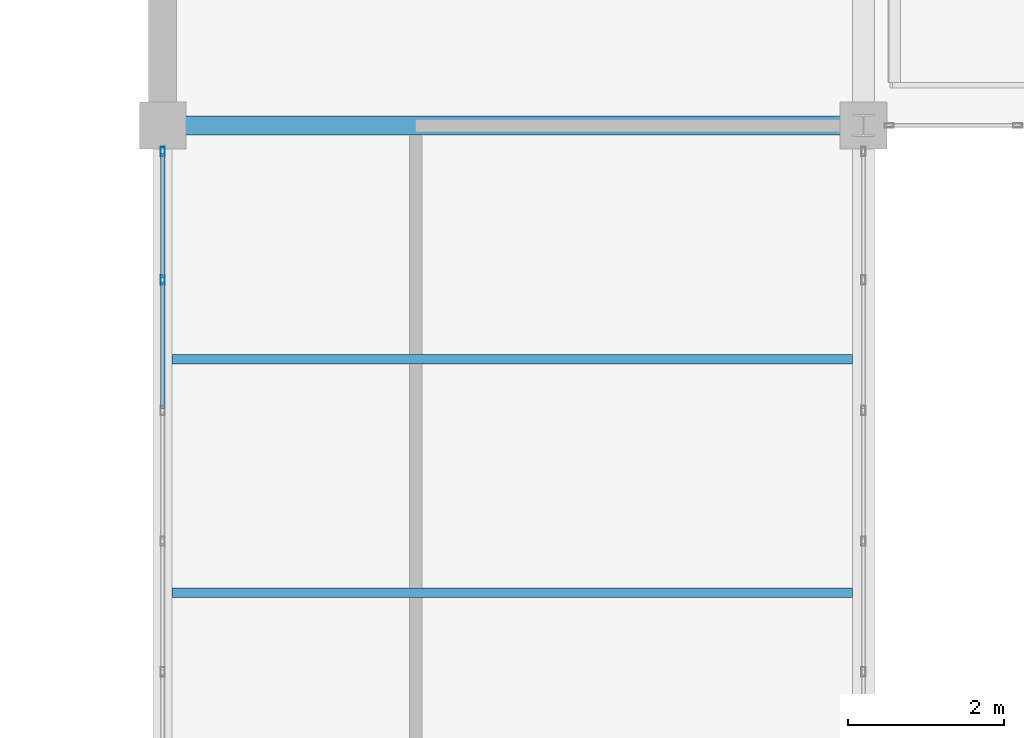
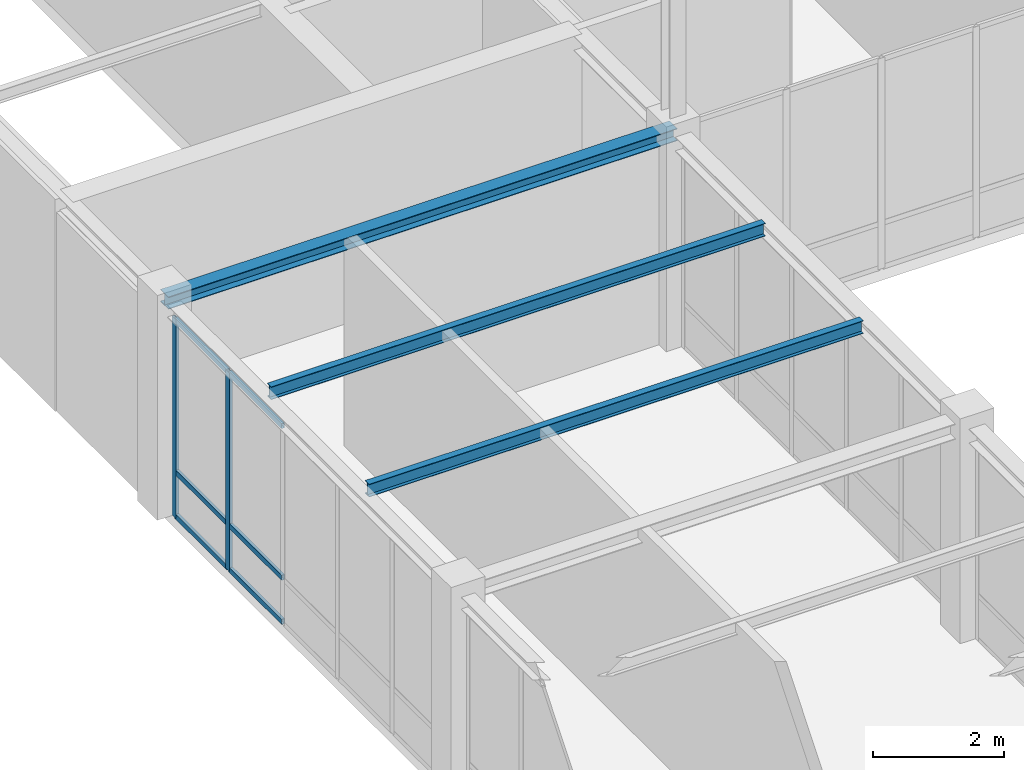
# One storey, part 31 of 97: 8 members, 3 beams, 1 element without a shape of its own.
"""IFC4 building model written with IfcOpenShell, lengths in metres."""

from ifc_helpers import new_model, si_unit, direction, frame, origin, origin_2d, place, context, subcontext, project, spatial, hollow_rectangle, i_section, extrude, material, material_profile, profile_set, type_object, element, aggregate, save


model = new_model("IFC4")

# Units and contexts
model_context = context("Model", 3, precision=1e-05, world=origin(), true_north=direction((0.0, 1.0)))
body_context = subcontext(model_context, "Body", "Model", "MODEL_VIEW")
ifc_project = project(units=[si_unit("LENGTHUNIT", "METRE"), si_unit("AREAUNIT", "SQUARE_METRE"), si_unit("VOLUMEUNIT", "CUBIC_METRE"), si_unit("PLANEANGLEUNIT", "RADIAN"), si_unit("MASSUNIT", "GRAM", prefix="KILO")], contexts=[model_context])

# Site, building, storey
site_placement = place(None, origin())
site = spatial("IfcSite", under=ifc_project, at=site_placement, CompositionType="ELEMENT")
building_placement = place(site_placement, origin())
building = spatial("IfcBuilding", under=site, at=building_placement, Name="Lykobir Media Centre", CompositionType="ELEMENT")
storey_placement = place(building_placement, frame((0.0, 0.0, 23.39990234375)))
storey = spatial("IfcBuildingStorey", under=building, at=storey_placement, Name="L05", CompositionType="ELEMENT", Elevation=23.39990234375)

# Curtain wall, members
ifc_material_1 = material(Name="Anodized Aluminium AW-6060", Category="aluminium")
curtain_wall_type = type_object("IfcCurtainWallType", Name="CW-COURT-B", PredefinedType="NOTDEFINED", material=ifc_material_1)
curtain_wall_placement = place(storey_placement, origin())
curtain_wall = element("IfcCurtainWall", 1, at=curtain_wall_placement, inside=storey, type_object=curtain_wall_type, Name="Curtain wall CW2-L05-0202", PredefinedType="NOTDEFINED")
ifc_material_profile_1 = material_profile(ifc_material_1, hollow_rectangle(XDim=0.054931640625, YDim=0.1201171875, WallThickness=0.003173828125, at=origin_2d()), Name="ALU MULLION 55x120")
ifc_profile_set_1 = profile_set([ifc_material_profile_1], Name="Anodized Aluminium AW-6060")
member_type_1 = type_object("IfcMemberType", Name="CWM-120", PredefinedType="MULLION", material=ifc_profile_set_1)
member_1_placement = place(storey_placement, frame((27.0, 61.01708984375, 0.0), z_axis=(0.0, 0.0, 1.0), x_axis=(-1.0, 0.0, 0.0)))
member_1 = element("IfcMember", 2, at=member_1_placement, type_object=member_type_1, Name="CW2-L05-0202 mullion 5", PredefinedType="MULLION", context=body_context, shape_type="SweptSolid", body=[
    extrude(hollow_rectangle(XDim=0.054931640625, YDim=0.1201171875, WallThickness=0.003173828125, at=origin_2d()), origin(), (0.0, 0.0, 1.0), 3.713134765625),
])
member_2_placement = place(storey_placement, frame((27.0, 62.66748046875, 0.0), z_axis=(0.0, 0.0, 1.0), x_axis=(-1.0, 0.0, 0.0)))
member_2 = element("IfcMember", 3, at=member_2_placement, type_object=member_type_1, Name="CW2-L05-0202 mullion 6", PredefinedType="MULLION", context=body_context, shape_type="SweptSolid", body=[
    extrude(hollow_rectangle(XDim=0.054931640625, YDim=0.1201171875, WallThickness=0.003173828125, at=origin_2d()), origin(), (0.0, 0.0, 1.0), 3.713134765625),
])
ifc_material_profile_2 = material_profile(ifc_material_1, hollow_rectangle(XDim=0.054931640625, YDim=0.094970703125, WallThickness=0.0029296875, at=origin_2d()), Name="ALU TRANSOM 55x95")
ifc_profile_set_2 = profile_set([ifc_material_profile_2], Name="Anodized Aluminium AW-6060")
member_type_2 = type_object("IfcMemberType", Name="CWT-095", PredefinedType="USERDEFINED", material=ifc_profile_set_2)
member_3_placement = place(storey_placement, frame((27.0, 59.366455078125, 0.027587890625), z_axis=(0.0, 1.0, 0.0), x_axis=(-1.0, 0.0, 0.0)))
member_3 = element("IfcMember", 4, at=member_3_placement, type_object=member_type_2, Name="CW2-L05-0202 transom 4.1", ObjectType="TRANSOM", PredefinedType="USERDEFINED", context=body_context, shape_type="SweptSolid", body=[
    extrude(hollow_rectangle(XDim=0.054931640625, YDim=0.094970703125, WallThickness=0.0029296875, at=origin_2d()), origin(), (0.0, 0.0, 1.0), 1.623046875),
])
member_4_placement = place(storey_placement, frame((27.0, 59.366455078125, 0.85009765625), z_axis=(0.0, 1.0, 0.0), x_axis=(-1.0, 0.0, 0.0)))
member_4 = element("IfcMember", 5, at=member_4_placement, type_object=member_type_2, Name="CW2-L05-0202 transom 4.2", ObjectType="TRANSOM", PredefinedType="USERDEFINED", context=body_context, shape_type="SweptSolid", body=[
    extrude(hollow_rectangle(XDim=0.054931640625, YDim=0.094970703125, WallThickness=0.0029296875, at=origin_2d()), origin(), (0.0, 0.0, 1.0), 1.623046875),
])
member_5_placement = place(storey_placement, frame((27.0, 59.366455078125, 3.685546875), z_axis=(0.0, 1.0, 0.0), x_axis=(-1.0, 0.0, 0.0)))
member_5 = element("IfcMember", 6, at=member_5_placement, type_object=member_type_2, Name="CW2-L05-0202 transom 4.3", ObjectType="TRANSOM", PredefinedType="USERDEFINED", context=body_context, shape_type="SweptSolid", body=[
    extrude(hollow_rectangle(XDim=0.054931640625, YDim=0.094970703125, WallThickness=0.0029296875, at=origin_2d()), origin(), (0.0, 0.0, 1.0), 1.623046875),
])
member_6_placement = place(storey_placement, frame((27.0, 61.04443359375, 0.027587890625), z_axis=(0.0, 1.0, 0.0), x_axis=(-1.0, 0.0, 0.0)))
member_6 = element("IfcMember", 7, at=member_6_placement, type_object=member_type_2, Name="CW2-L05-0202 transom 5.1", ObjectType="TRANSOM", PredefinedType="USERDEFINED", context=body_context, shape_type="SweptSolid", body=[
    extrude(hollow_rectangle(XDim=0.054931640625, YDim=0.094970703125, WallThickness=0.0029296875, at=origin_2d()), origin(), (0.0, 0.0, 1.0), 1.595458984375),
])
member_7_placement = place(storey_placement, frame((27.0, 61.04443359375, 0.85009765625), z_axis=(0.0, 1.0, 0.0), x_axis=(-1.0, 0.0, 0.0)))
member_7 = element("IfcMember", 8, at=member_7_placement, type_object=member_type_2, Name="CW2-L05-0202 transom 5.2", ObjectType="TRANSOM", PredefinedType="USERDEFINED", context=body_context, shape_type="SweptSolid", body=[
    extrude(hollow_rectangle(XDim=0.054931640625, YDim=0.094970703125, WallThickness=0.0029296875, at=origin_2d()), origin(), (0.0, 0.0, 1.0), 1.595458984375),
])
member_8_placement = place(storey_placement, frame((27.0, 61.04443359375, 3.685546875), z_axis=(0.0, 1.0, 0.0), x_axis=(-1.0, 0.0, 0.0)))
member_8 = element("IfcMember", 9, at=member_8_placement, type_object=member_type_2, Name="CW2-L05-0202 transom 5.3", ObjectType="TRANSOM", PredefinedType="USERDEFINED", context=body_context, shape_type="SweptSolid", body=[
    extrude(hollow_rectangle(XDim=0.054931640625, YDim=0.094970703125, WallThickness=0.0029296875, at=origin_2d()), origin(), (0.0, 0.0, 1.0), 1.595458984375),
])
aggregate(curtain_wall, [member_1, member_2, member_3, member_4, member_5, member_6, member_7, member_8])

# Beams
ifc_material_2 = material(Name="Steel S355", Category="steel")
ifc_material_profile_3 = material_profile(ifc_material_2, i_section(OverallWidth=0.1201171875, OverallDepth=0.239990234375, WebThickness=0.006103515625, FlangeThickness=0.009765625, at=origin_2d()), Name="IPE 240")
ifc_profile_set_3 = profile_set([ifc_material_profile_3], Name="Steel S355")
beam_type_1 = type_object("IfcBeamType", Name="JS-IPE240", PredefinedType="JOIST", material=ifc_profile_set_3)
for number, where, z_axis, x_axis, name in (
    (10, (27.1201171875, 57.0, 3.900146484375), (1.0, 0.0, 0.0), (0.0, 1.0, 0.0), "Beam BM-L05-0271-0570-0359-0570-2730"),
    (11, (27.1201171875, 60.0, 3.900146484375), (1.0, 0.0, 0.0), (0.0, 1.0, 0.0), "Beam BM-L05-0271-0600-0359-0600-2730"),
):
    element("IfcBeam", number, at=place(storey_placement, frame(where, z_axis=z_axis, x_axis=x_axis)), inside=storey, type_object=beam_type_1, Name=name, PredefinedType="JOIST", context=body_context, shape_type="SweptSolid", body=[
        extrude(i_section(OverallWidth=0.1201171875, OverallDepth=0.239990234375, WebThickness=0.006103515625, FlangeThickness=0.009765625, at=origin_2d()), origin(), (0.0, 0.0, 1.0), 8.739990234375),
    ])
ifc_material_profile_4 = material_profile(ifc_material_2, i_section(OverallWidth=0.239990234375, OverallDepth=0.22998046875, WebThickness=0.007568359375, FlangeThickness=0.011962890625, at=origin_2d()), Name="HEA 240")
ifc_profile_set_4 = profile_set([ifc_material_profile_4], Name="Steel S355")
beam_type_2 = type_object("IfcBeamType", Name="SP-HEA240", PredefinedType="SPANDREL", material=ifc_profile_set_4)
beam_placement = place(storey_placement, frame((27.0, 63.0, 3.84521484375), z_axis=(1.0, 0.0, 0.0), x_axis=(0.0, 1.0, 0.0)))
element("IfcBeam", 12, at=beam_placement, inside=storey, type_object=beam_type_2, Name="Beam BM-L05-0270-0630-0360-0630-2724", PredefinedType="SPANDREL", context=body_context, shape_type="SweptSolid", body=[
    extrude(i_section(OverallWidth=0.239990234375, OverallDepth=0.22998046875, WebThickness=0.007568359375, FlangeThickness=0.011962890625, at=origin_2d()), origin(), (0.0, 0.0, 1.0), 9.0),
])

save(model, "model.ifc")
